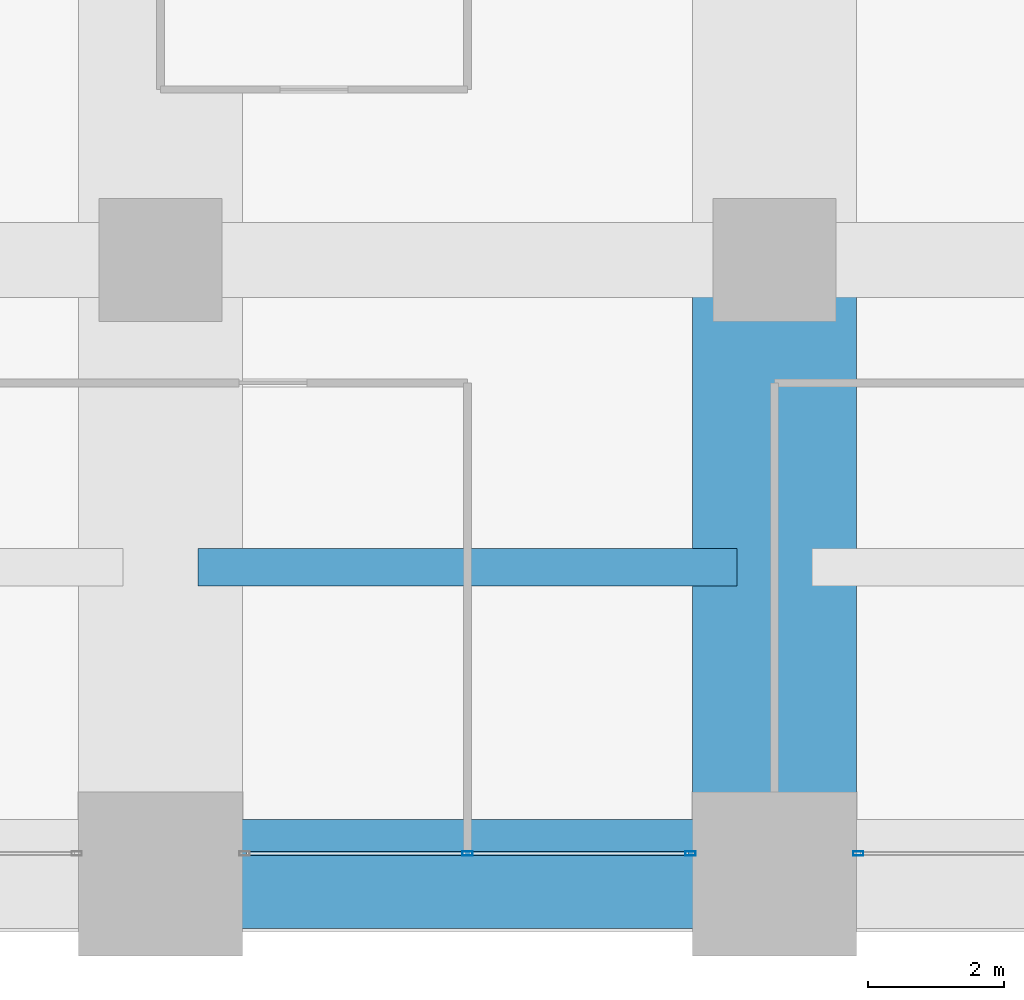
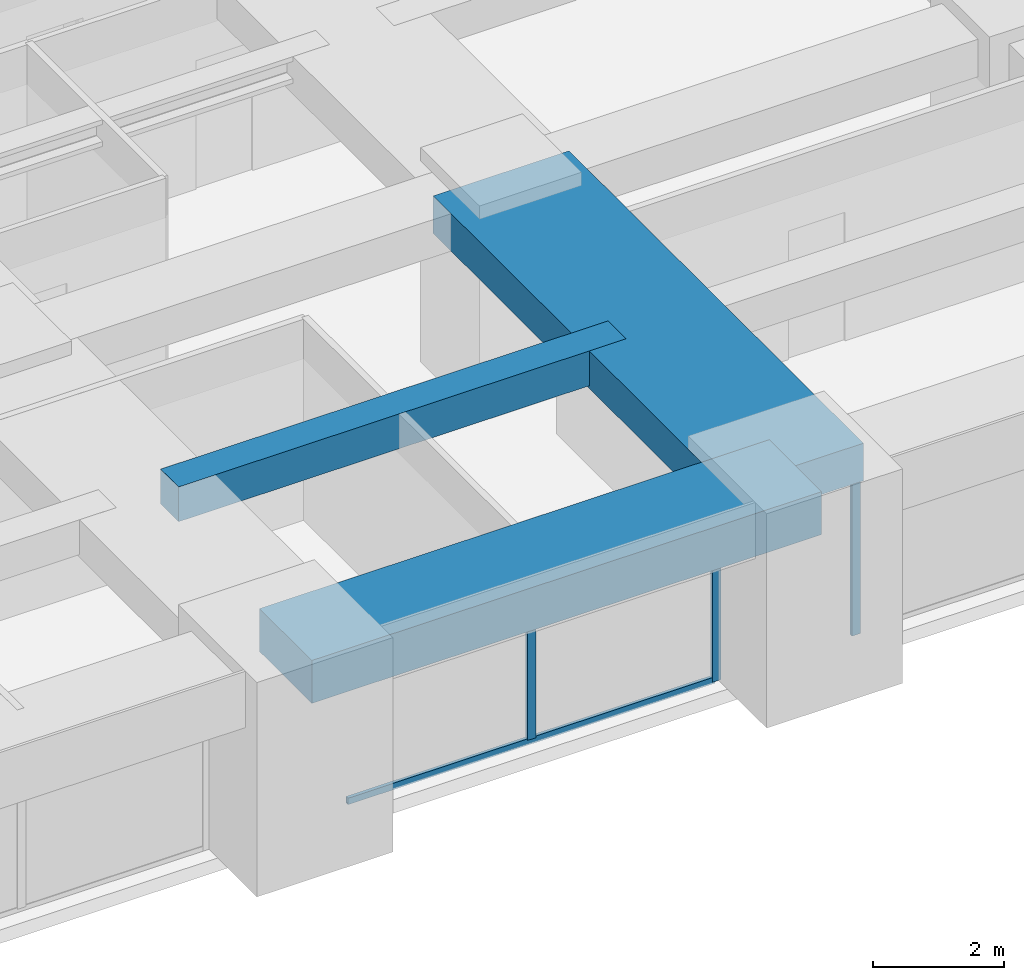
# One storey, part 14 of 42: 4 members, 3 beams, 2 elements without a shape of their own.
"""IFC4 building model written with IfcOpenShell, lengths in metres."""

from ifc_helpers import new_model, si_unit, direction, frame, origin, origin_2d, place, context, subcontext, project, spatial, rectangle, hollow_rectangle, extrude, material, material_profile, profile_set, type_object, element, aggregate, save


model = new_model("IFC4")

# Units and contexts
model_context = context("Model", 3, precision=1e-05, world=origin(), true_north=direction((0.0, 1.0)))
body_context = subcontext(model_context, "Body", "Model", "MODEL_VIEW")
ifc_project = project(units=[si_unit("LENGTHUNIT", "METRE"), si_unit("AREAUNIT", "SQUARE_METRE"), si_unit("VOLUMEUNIT", "CUBIC_METRE"), si_unit("PLANEANGLEUNIT", "RADIAN"), si_unit("MASSUNIT", "GRAM", prefix="KILO")], contexts=[model_context])

# Site, building, storey
site_placement = place(None, origin())
site = spatial("IfcSite", under=ifc_project, at=site_placement, CompositionType="ELEMENT")
building_placement = place(site_placement, origin())
building = spatial("IfcBuilding", under=site, at=building_placement, Name="Zorevar Civic Tower", CompositionType="ELEMENT")
storey_placement = place(building_placement, frame((0.0, 0.0, 149.0)))
storey = spatial("IfcBuildingStorey", under=building, at=storey_placement, Name="L36", CompositionType="ELEMENT", Elevation=149.0)

# Beams
ifc_material_1 = material(Name="Concrete C50/60", Category="concrete")
ifc_material_profile_1 = material_profile(ifc_material_1, rectangle(XDim=2.39990234375, YDim=0.699951171875, at=origin_2d()), Name="RC 2400x700")
ifc_profile_set_1 = profile_set([ifc_material_profile_1], Name="Concrete C50/60")
beam_type_1 = type_object("IfcBeamType", Name="Beam RC 2400x700", PredefinedType="BEAM", material=ifc_profile_set_1)
beam_1_placement = place(storey_placement, frame((45.0, 0.0, 3.39990234375), z_axis=(0.0, 1.0, 0.0), x_axis=(-1.0, 0.0, 0.0)))
element("IfcBeam", 1, at=beam_1_placement, inside=storey, type_object=beam_type_1, Name="Girder L37", PredefinedType="BEAM", context=body_context, shape_type="SweptSolid", body=[
    extrude(rectangle(XDim=2.39990234375, YDim=0.699951171875, at=origin_2d()), origin(), (0.0, 0.0, 1.0), 9.0),
])
ifc_material_2 = material(Name="Concrete C50/60", Category="concrete")
ifc_material_profile_2 = material_profile(ifc_material_2, rectangle(XDim=0.550048828125, YDim=0.64990234375, at=origin_2d()), Name="RC 550x650")
ifc_profile_set_2 = profile_set([ifc_material_profile_2], Name="Concrete C50/60")
beam_type_2 = type_object("IfcBeamType", Name="Beam RC 550x650", PredefinedType="BEAM", material=ifc_profile_set_2)
beam_2_placement = place(storey_placement, frame((36.550048828125, 4.5, 3.425048828125), z_axis=(1.0, 0.0, 0.0), x_axis=(0.0, 1.0, 0.0)))
element("IfcBeam", 2, at=beam_2_placement, inside=storey, type_object=beam_type_2, Name="Secondary beam L37", PredefinedType="BEAM", context=body_context, shape_type="SweptSolid", body=[
    extrude(rectangle(XDim=0.550048828125, YDim=0.64990234375, at=origin_2d()), origin(), (0.0, 0.0, 1.0), 7.89990234375),
])

# Curtain wall, members
ifc_material_3 = material(Name="Dark grey solar-control glass in black aluminium frame", Category="aluminium")
curtain_wall_type = type_object("IfcCurtainWallType", Name="Curtain wall CW3 mid zone", PredefinedType="NOTDEFINED", material=ifc_material_3)
curtain_wall_1_placement = place(storey_placement, origin())
curtain_wall_1 = element("IfcCurtainWall", 3, at=curtain_wall_1_placement, inside=storey, type_object=curtain_wall_type, Name="CW3 L36", PredefinedType="NOTDEFINED")
ifc_material_4 = material(Name="Aluminium, black anodised", Category="aluminium")
ifc_material_profile_3 = material_profile(ifc_material_4, hollow_rectangle(XDim=0.06005859375, YDim=0.14990234375, WallThickness=0.00390625, at=origin_2d()), Name="AL 150x60x4")
ifc_profile_set_3 = profile_set([ifc_material_profile_3], Name="Aluminium, black anodised")
member_type_1 = type_object("IfcMemberType", Name="CW3 mullion AL 150x60x4", PredefinedType="MULLION", material=ifc_profile_set_3)
member_1_placement = place(storey_placement, frame((40.5, 0.300048828125, 0.06005859375), z_axis=(0.0, 0.0, 1.0), x_axis=(0.0, 1.0, 0.0)))
member_1 = element("IfcMember", 4, at=member_1_placement, type_object=member_type_1, Name="CW3 mullion 2", PredefinedType="MULLION", context=body_context, shape_type="SweptSolid", body=[
    extrude(hollow_rectangle(XDim=0.06005859375, YDim=0.14990234375, WallThickness=0.00390625, at=origin_2d()), origin(), (0.0, 0.0, 1.0), 2.889892578125),
])
member_2_placement = place(storey_placement, frame((43.77001953125, 0.300048828125, 0.0), z_axis=(0.0, 0.0, 1.0), x_axis=(0.0, 1.0, 0.0)))
member_2 = element("IfcMember", 5, at=member_2_placement, type_object=member_type_1, Name="CW3 mullion 3", PredefinedType="MULLION", context=body_context, shape_type="SweptSolid", body=[
    extrude(hollow_rectangle(XDim=0.06005859375, YDim=0.14990234375, WallThickness=0.00390625, at=origin_2d()), origin(), (0.0, 0.0, 1.0), 2.949951171875),
])

# Curtain wall, member
curtain_wall_2_placement = place(storey_placement, origin())
curtain_wall_2 = element("IfcCurtainWall", 6, at=curtain_wall_2_placement, inside=storey, type_object=curtain_wall_type, Name="CW3 L36", PredefinedType="NOTDEFINED")
member_3_placement = place(storey_placement, frame((46.22998046875, 0.300048828125, 0.0), z_axis=(0.0, 0.0, 1.0), x_axis=(0.0, 1.0, 0.0)))
member_3 = element("IfcMember", 7, at=member_3_placement, type_object=member_type_1, Name="CW3 mullion 1", PredefinedType="MULLION", context=body_context, shape_type="SweptSolid", body=[
    extrude(hollow_rectangle(XDim=0.06005859375, YDim=0.14990234375, WallThickness=0.00390625, at=origin_2d()), origin(), (0.0, 0.0, 1.0), 2.949951171875),
])
aggregate(curtain_wall_2, [member_3])

# Member
ifc_material_5 = material(Name="Aluminium, black anodised", Category="aluminium")
ifc_material_profile_4 = material_profile(ifc_material_5, hollow_rectangle(XDim=0.06005859375, YDim=0.1201171875, WallThickness=0.0029296875, at=origin_2d()), Name="AL 120x60x3")
ifc_profile_set_4 = profile_set([ifc_material_profile_4], Name="Aluminium, black anodised")
member_type_2 = type_object("IfcMemberType", Name="CW3 transom AL 120x60x3", PredefinedType="USERDEFINED", material=ifc_profile_set_4)
member_4_placement = place(storey_placement, frame((37.260009765625, 0.300048828125, 0.030029296875), z_axis=(1.0, 0.0, 0.0), x_axis=(0.0, 1.0, 0.0)))
member_4 = element("IfcMember", 8, at=member_4_placement, type_object=member_type_2, Name="CW3 sill transom", ObjectType="TRANSOM", PredefinedType="USERDEFINED", context=body_context, shape_type="SweptSolid", body=[
    extrude(hollow_rectangle(XDim=0.06005859375, YDim=0.1201171875, WallThickness=0.0029296875, at=origin_2d()), origin(), (0.0, 0.0, 1.0), 6.47998046875),
])

aggregate(curtain_wall_1, [member_1, member_2, member_4])

# Beam
ifc_material_6 = material(Name="Concrete C50/60", Category="concrete")
ifc_material_profile_5 = material_profile(ifc_material_6, rectangle(XDim=1.60009765625, YDim=0.800048828125, at=origin_2d()), Name="RC 1600x800")
ifc_profile_set_5 = profile_set([ifc_material_profile_5], Name="Concrete C50/60")
beam_type_3 = type_object("IfcBeamType", Name="Edge beam RC 1600x800", PredefinedType="SPANDREL", material=ifc_profile_set_5)
beam_3_placement = place(storey_placement, frame((36.0, 0.0, 3.35009765625), z_axis=(1.0, 0.0, 0.0), x_axis=(0.0, 1.0, 0.0)))
element("IfcBeam", 9, at=beam_3_placement, inside=storey, type_object=beam_type_3, Name="Edge beam L37", PredefinedType="SPANDREL", context=body_context, shape_type="SweptSolid", body=[
    extrude(rectangle(XDim=1.60009765625, YDim=0.800048828125, at=origin_2d()), origin(), (0.0, 0.0, 1.0), 9.0),
])

save(model, "model.ifc")
